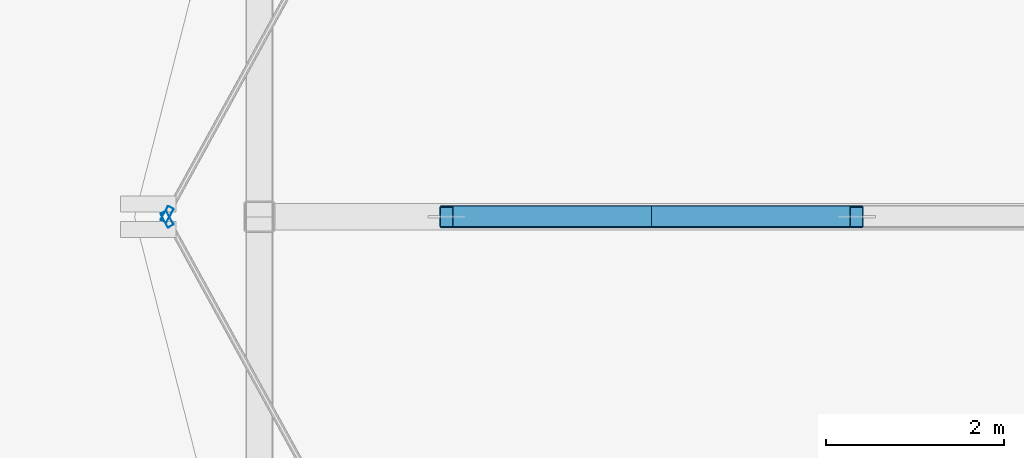
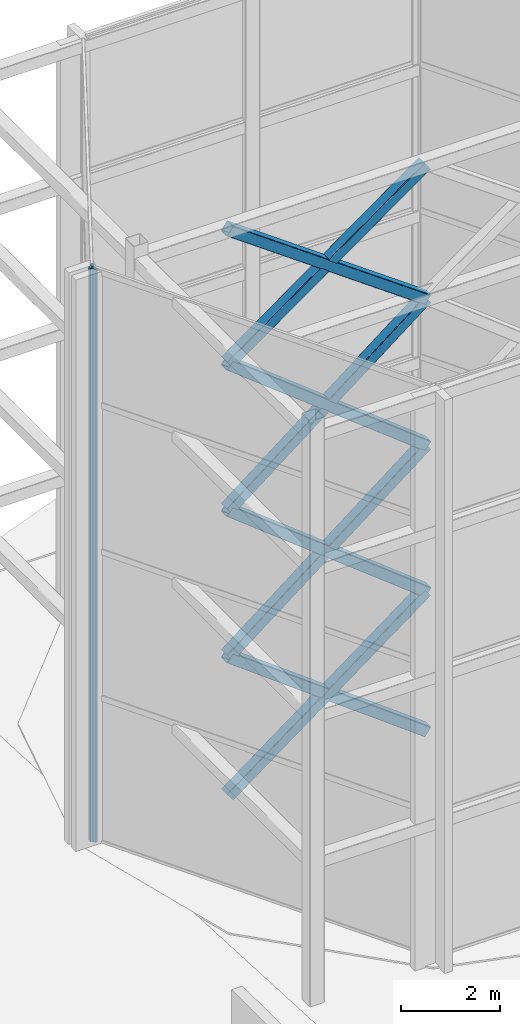
# One storey, part 14 of 24: 10 members, 2 elements without a shape of their own.
"""IFC4 building model written with IfcOpenShell, lengths in metres."""

import ifcopenshell
import ifcopenshell.guid

model = None  # the IFC model being written
_history = None  # IfcOwnerHistory: only IFC2X3 demands one
_inside = {}  # id of a spatial element -> (the spatial element, [elements in it])
_under = {}  # id of a project, library or spatial element -> (it, [spatial elements below it])
_declared = {}  # id of a project -> (the project, [libraries it declares])
_typed = {}  # id of a type object -> (the type object, [elements of that type])
_made_of = {}  # id of a material, layer set ... -> (it, [elements and type objects made of it])


def new_model(schema):
    """Start an empty IFC model of exactly this schema.

    Asked for "IFC4X3", IfcOpenShell would pick the latest addendum, in which some entities
    have other attributes; the version numbers below select the first issue.
    IFC2X3 requires an IfcOwnerHistory on every rooted entity: one is made here for all.
    """
    global model, _history
    if schema == "IFC4X3":
        model = ifcopenshell.file(schema_version=(4, 3, 0, 0))
    else:
        model = ifcopenshell.file(schema=schema)
    _inside.clear()
    _under.clear()
    _declared.clear()
    _typed.clear()
    _made_of.clear()
    _history = None
    if model.schema == "IFC2X3":
        org = make("IfcOrganization", Name="unknown")
        user = make(
            "IfcPersonAndOrganization",
            ThePerson=make("IfcPerson", FamilyName="unknown"),
            TheOrganization=org,
        )
        app = make(
            "IfcApplication",
            ApplicationDeveloper=org,
            Version="unknown",
            ApplicationFullName="unknown",
            ApplicationIdentifier="unknown",
        )
        _history = make(
            "IfcOwnerHistory",
            OwningUser=user,
            OwningApplication=app,
            ChangeAction="ADDED",
            CreationDate=0,
        )
    return model


def make(cls, **values):
    """One entity of the class cls with the attributes given. An attribute that is None is left unset."""
    return model.create_entity(
        cls, **{name: value for name, value in values.items() if value is not None}
    )


def rooted(cls, **values):
    """An entity with a GlobalId (a new one), such as an element, a storey or a relation."""
    return make(cls, GlobalId=ifcopenshell.guid.new(), OwnerHistory=_history, **values)


def si_unit(unit_type, name, prefix=None):
    """IfcSIUnit, for example si_unit("LENGTHUNIT", "METRE", prefix="MILLI")."""
    return make("IfcSIUnit", UnitType=unit_type, Prefix=prefix, Name=name)


def assignment(units):
    """IfcUnitAssignment: the units of a project."""
    return None if units is None else make("IfcUnitAssignment", Units=units)


def point(xyz):
    """IfcCartesianPoint."""
    return None if xyz is None else make("IfcCartesianPoint", Coordinates=xyz)


def direction(xyz):
    """IfcDirection."""
    return None if xyz is None else make("IfcDirection", DirectionRatios=xyz)


def frame(location, z_axis=None, x_axis=None):
    """IfcAxis2Placement3D, a coordinate frame: its origin and axes. An axis left out is left unset."""
    return make(
        "IfcAxis2Placement3D",
        Location=point(location),
        Axis=direction(z_axis),
        RefDirection=direction(x_axis),
    )


def frame_2d(location, x_axis=None):
    """IfcAxis2Placement2D, a coordinate frame in the plane: its origin and x axis."""
    return make(
        "IfcAxis2Placement2D", Location=point(location), RefDirection=direction(x_axis)
    )


def origin():
    """The frame at (0, 0, 0) with its axes left unset."""
    return frame((0.0, 0.0, 0.0))


def origin_2d():
    """The frame at (0, 0) in the plane with its x axis left unset."""
    return frame_2d((0.0, 0.0))


def place(relative_to, where):
    """IfcLocalPlacement: puts the frame where relative to a parent placement (None: the world)."""
    return make(
        "IfcLocalPlacement", PlacementRelTo=relative_to, RelativePlacement=where
    )


def context(
    kind, dimensions, precision=None, world=None, true_north=None, identifier=None
):
    """IfcGeometricRepresentationContext, for example the 3D "Model" context."""
    return make(
        "IfcGeometricRepresentationContext",
        ContextIdentifier=identifier,
        ContextType=kind,
        CoordinateSpaceDimension=dimensions,
        Precision=precision,
        WorldCoordinateSystem=world,
        TrueNorth=true_north,
    )


def subcontext(parent, identifier, kind, view, scale=None):
    """IfcGeometricRepresentationSubContext, for example "Body" below "Model"."""
    return make(
        "IfcGeometricRepresentationSubContext",
        ContextIdentifier=identifier,
        ContextType=kind,
        ParentContext=parent,
        TargetScale=scale,
        TargetView=view,
    )


def project(units=None, contexts=None):
    """IfcProject with its units and contexts."""
    return rooted(
        "IfcProject",
        Name="project",
        RepresentationContexts=contexts,
        UnitsInContext=assignment(units),
    )


def spatial(cls, under=None, at=None, **own):
    """A site, building, storey or space (cls), placed at a placement, below another one or the project."""
    s = rooted(cls, ObjectPlacement=at, **own)
    if under is not None:
        _under.setdefault(under.id(), (under, []))[1].append(s)
    return s


def profile(cls, at=None, kind="AREA", **sizes):
    """A parametric profile (cls). Its sizes go by their IFC names, for example OverallWidth=200.0."""
    return make(cls, ProfileType=kind, Position=at, **sizes)


def hollow_rectangle(**sizes):
    """IfcRectangleHollowProfileDef."""
    return profile("IfcRectangleHollowProfileDef", **sizes)


def extrude(swept, where, along, depth):
    """IfcExtrudedAreaSolid: the profile swept, set in the frame where, extruded along a direction by depth."""
    return make(
        "IfcExtrudedAreaSolid",
        SweptArea=swept,
        Position=where,
        ExtrudedDirection=direction(along),
        Depth=depth,
    )


def shape(context_of_items, identifier, shape_type, items):
    """IfcShapeRepresentation: the items that make up one representation, for example the "Body"."""
    return make(
        "IfcShapeRepresentation",
        ContextOfItems=context_of_items,
        RepresentationIdentifier=identifier,
        RepresentationType=shape_type,
        Items=items,
    )


def material(Name=None, Category=None):
    """IfcMaterial."""
    return make("IfcMaterial", Name=Name, Category=Category)


def layer(
    of_material, thickness, ventilated=None, Name=None, Category=None, Priority=None
):
    """IfcMaterialLayer: one layer of a wall or slab, of a material (None: an air gap)."""
    return make(
        "IfcMaterialLayer",
        Material=of_material,
        LayerThickness=thickness,
        IsVentilated=ventilated,
        Name=Name,
        Category=Category,
        Priority=Priority,
    )


def layer_set(layers, Name=None):
    """IfcMaterialLayerSet."""
    return make("IfcMaterialLayerSet", MaterialLayers=layers, LayerSetName=Name)


def material_profile(
    of_material, cross_section, Name=None, Category=None, Priority=None
):
    """IfcMaterialProfile: a cross section and its material."""
    return make(
        "IfcMaterialProfile",
        Name=Name,
        Material=of_material,
        Profile=cross_section,
        Priority=Priority,
        Category=Category,
    )


def profile_set(profiles, Name=None, composite=None):
    """IfcMaterialProfileSet."""
    return make(
        "IfcMaterialProfileSet",
        Name=Name,
        MaterialProfiles=profiles,
        CompositeProfile=composite,
    )


def made_of(thing, what):
    """Note that an element or type object is made of a material, layer set ...; save() writes the relation."""
    if what is not None:
        _made_of.setdefault(what.id(), (what, []))[1].append(thing)
    return thing


def type_object(cls, material=None, **own):
    """A type object (cls), such as IfcWallType, which elements share."""
    return made_of(rooted(cls, **own), material)


def element(
    cls,
    number,
    at=None,
    inside=None,
    cuts=None,
    type_object=None,
    material=None,
    context=None,
    identifier="Body",
    shape_type=None,
    held_by="IfcProductDefinitionShape",
    body=None,
    shapes=None,
    **own,
):
    """One element of the class cls, such as IfcWall. Its Tag is "e" and its number.

    at: its placement. inside: the storey or other place that contains it. cuts: it is an
    opening in that element (IfcRelVoidsElement). A single representation is given by context,
    identifier, shape_type and body (its items); several are given by shapes. held_by: the class
    of the entity that holds the representations. save() writes the other relations.
    """
    e = rooted(cls, Tag="e%d" % number, ObjectPlacement=at, **own)
    if body is not None:
        shapes = [shape(context, identifier, shape_type, body)]
    if shapes is not None:
        e.Representation = make(held_by, Representations=shapes)
    if inside is not None:
        _inside.setdefault(inside.id(), (inside, []))[1].append(e)
    if cuts is not None:
        rooted(
            "IfcRelVoidsElement", RelatingBuildingElement=cuts, RelatedOpeningElement=e
        )
    if type_object is not None:
        _typed.setdefault(type_object.id(), (type_object, []))[1].append(e)
    return made_of(e, material)


def aggregate(whole, parts):
    """IfcRelAggregates: a whole, such as a stair, and the parts it consists of."""
    return rooted("IfcRelAggregates", RelatingObject=whole, RelatedObjects=parts)


def save(model, path):
    """Write the relations noted so far, then the file.

    IfcRelAggregates (storeys below a building ...), IfcRelContainedInSpatialStructure (elements
    in a storey), IfcRelDefinesByType, IfcRelAssociatesMaterial and IfcRelDeclares: one each for
    every whole, place, type object, material and project.
    """
    for whole, parts in _under.values():
        aggregate(whole, parts)
    for where, things in _inside.values():
        rooted(
            "IfcRelContainedInSpatialStructure",
            RelatedElements=things,
            RelatingStructure=where,
        )
    for kind, things in _typed.values():
        rooted("IfcRelDefinesByType", RelatedObjects=things, RelatingType=kind)
    for what, things in _made_of.values():
        rooted("IfcRelAssociatesMaterial", RelatedObjects=things, RelatingMaterial=what)
    for by, libraries in _declared.values():
        rooted("IfcRelDeclares", RelatingContext=by, RelatedDefinitions=libraries)
    model.write(path)


model = new_model("IFC4")

# Units and contexts
model_context = context("Model", 3, precision=1e-05, world=origin(), true_north=direction((0.0, 1.0)))
body_context = subcontext(model_context, "Body", "Model", "MODEL_VIEW")
ifc_project = project(units=[si_unit("LENGTHUNIT", "METRE"), si_unit("AREAUNIT", "SQUARE_METRE"), si_unit("VOLUMEUNIT", "CUBIC_METRE"), si_unit("PLANEANGLEUNIT", "RADIAN"), si_unit("MASSUNIT", "GRAM", prefix="KILO")], contexts=[model_context])

# Site, building, storey
site_placement = place(None, origin())
site = spatial("IfcSite", under=ifc_project, at=site_placement, CompositionType="ELEMENT")
building_placement = place(site_placement, origin())
building = spatial("IfcBuilding", under=site, at=building_placement, Name="Solvaryn Broadcast Tower", CompositionType="ELEMENT")
storey_placement = place(building_placement, frame((0.0, 0.0, 307.800048828125)))
storey = spatial("IfcBuildingStorey", under=building, at=storey_placement, Name="Roof Main", CompositionType="ELEMENT", Elevation=307.800048828125)

# Curtain wall, member
ifc_material_1 = material(Name="Aluminium and Terracotta Unitised Curtain Wall", Category="masonry")
ifc_layer = layer(ifc_material_1, 0.2099609375)
ifc_layer_set = layer_set([ifc_layer], Name="CW-SYS6-CROWN")
curtain_wall_type = type_object("IfcCurtainWallType", Name="CW-SYS6-CROWN", PredefinedType="NOTDEFINED", material=ifc_layer_set)
curtain_wall_1_placement = place(storey_placement, origin())
curtain_wall_1 = element("IfcCurtainWall", 1, at=curtain_wall_1_placement, inside=storey, type_object=curtain_wall_type, Name="Roof Main Split-Top Crown Curtain Wall W3", PredefinedType="NOTDEFINED")
ifc_material_2 = material(Name="Anodised Aluminium 6063-T6", Category="aluminium")
ifc_material_profile_1 = material_profile(ifc_material_2, hollow_rectangle(XDim=0.074951171875, YDim=0.179931640625, WallThickness=0.00390625, InnerFilletRadius=0.00390625, OuterFilletRadius=0.008056640625, at=origin_2d()))
ifc_profile_set_1 = profile_set([ifc_material_profile_1], Name="Anodised Aluminium 6063-T6")
member_type_1 = type_object("IfcMemberType", Name="CW-MUL-180", PredefinedType="MULLION", material=ifc_profile_set_1)
member_1_placement = place(storey_placement, frame((10.16455078125, 35.326416015625, 0.0), z_axis=(0.0, 0.0, 1.0), x_axis=(0.876577523452, -0.481260683391, 0.0)))
member_1 = element("IfcMember", 2, at=member_1_placement, type_object=member_type_1, Name="CWS6 mullion 2", PredefinedType="MULLION", context=body_context, shape_type="SweptSolid", body=[
    extrude(hollow_rectangle(XDim=0.074951171875, YDim=0.179931640625, WallThickness=0.00390625, InnerFilletRadius=0.00390625, OuterFilletRadius=0.008056640625, at=origin_2d()), origin(), (0.0, 0.0, 1.0), 14.099853515625),
])
aggregate(curtain_wall_1, [member_1])

curtain_wall_2_placement = place(storey_placement, origin())
curtain_wall_2 = element("IfcCurtainWall", 3, at=curtain_wall_2_placement, inside=storey, type_object=curtain_wall_type, Name="Roof Main Split-Top Crown Curtain Wall W4", PredefinedType="NOTDEFINED")
member_2_placement = place(storey_placement, frame((10.16455078125, 35.273681640625, 0.0), z_axis=(0.0, 0.0, 1.0), x_axis=(0.876577523452, 0.481260683391, 0.0)))
member_2 = element("IfcMember", 4, at=member_2_placement, type_object=member_type_1, Name="CWS6 mullion 1", PredefinedType="MULLION", context=body_context, shape_type="SweptSolid", body=[
    extrude(hollow_rectangle(XDim=0.074951171875, YDim=0.179931640625, WallThickness=0.00390625, InnerFilletRadius=0.00390625, OuterFilletRadius=0.008056640625, at=origin_2d()), origin(), (0.0, 0.0, 1.0), 14.099853515625),
])
aggregate(curtain_wall_2, [member_2])

# Members
ifc_material_3 = material(Name="Steel ASTM A500 Grade C", Category="steel")
ifc_material_profile_2 = material_profile(ifc_material_3, hollow_rectangle(XDim=0.25, YDim=0.25, WallThickness=0.011962890625, InnerFilletRadius=0.011962890625, OuterFilletRadius=0.02392578125, at=origin_2d()))
ifc_profile_set_2 = profile_set([ifc_material_profile_2], Name="Steel ASTM A500 Grade C")
member_type_2 = type_object("IfcMemberType", Name="MB-CROWN-BRACE", PredefinedType="BRACE", material=ifc_profile_set_2)
for number, where, z_axis, x_axis, name in (
    (5, (13.300048828125, 35.300048828125, 0.02001953125), (0.801666527074, 0.0, 0.597771511006), (0.0, 1.0, 0.0), "Roof Main CROWN FRAME Brace WT1-1"),
    (6, (17.89990234375, 35.300048828125, 0.02001953125), (-0.801666527074, 0.0, 0.597771511006), (0.0, -1.0, 0.0), "Roof Main CROWN FRAME Brace WT1-3"),
):
    element("IfcMember", number, at=place(storey_placement, frame(where, z_axis=z_axis, x_axis=x_axis)), inside=storey, type_object=member_type_2, Name=name, PredefinedType="BRACE", context=body_context, shape_type="SweptSolid", body=[
        extrude(hollow_rectangle(XDim=0.25, YDim=0.25, WallThickness=0.011962890625, InnerFilletRadius=0.011962890625, OuterFilletRadius=0.02392578125, at=origin_2d()), origin(), (0.0, 0.0, 1.0), 5.73779296875),
    ])
for number, where, z_axis, x_axis, name in (
    (7, (13.300048828125, 35.300048828125, 3.449951171875), (0.787487360907, 0.0, 0.616330801122), (0.0, 1.0, 0.0), "Roof Main CROWN FRAME Brace WT2-1"),
    (8, (17.89990234375, 35.300048828125, 3.449951171875), (-0.787487360907, 0.0, 0.616330801122), (0.0, -1.0, 0.0), "Roof Main CROWN FRAME Brace WT2-3"),
    (9, (13.300048828125, 35.300048828125, 7.050048828125), (0.787507647035, 0.0, 0.616304880608), (0.0, 1.0, 0.0), "Roof Main CROWN FRAME Brace WT3-1"),
    (10, (17.89990234375, 35.300048828125, 7.050048828125), (-0.787507647035, 0.0, 0.616304880608), (0.0, -1.0, 0.0), "Roof Main CROWN FRAME Brace WT3-3"),
):
    element("IfcMember", number, at=place(storey_placement, frame(where, z_axis=z_axis, x_axis=x_axis)), inside=storey, type_object=member_type_2, Name=name, PredefinedType="BRACE", context=body_context, shape_type="SweptSolid", body=[
        extrude(hollow_rectangle(XDim=0.25, YDim=0.25, WallThickness=0.011962890625, InnerFilletRadius=0.011962890625, OuterFilletRadius=0.02392578125, at=origin_2d()), origin(), (0.0, 0.0, 1.0), 5.841064453125),
    ])
for number, where, z_axis, x_axis, name in (
    (11, (13.300048828125, 35.300048828125, 10.64990234375), (0.812525373366, 0.0, 0.582925825158), (0.0, 1.0, 0.0), "Roof Main CROWN FRAME Brace WT4-1"),
    (12, (17.89990234375, 35.300048828125, 10.64990234375), (-0.812525373366, 0.0, 0.582925825158), (0.0, -1.0, 0.0), "Roof Main CROWN FRAME Brace WT4-3"),
):
    element("IfcMember", number, at=place(storey_placement, frame(where, z_axis=z_axis, x_axis=x_axis)), inside=storey, type_object=member_type_2, Name=name, PredefinedType="BRACE", context=body_context, shape_type="SweptSolid", body=[
        extrude(hollow_rectangle(XDim=0.25, YDim=0.25, WallThickness=0.011962890625, InnerFilletRadius=0.011962890625, OuterFilletRadius=0.02392578125, at=origin_2d()), origin(), (0.0, 0.0, 1.0), 5.6611328125),
    ])

save(model, "model.ifc")
